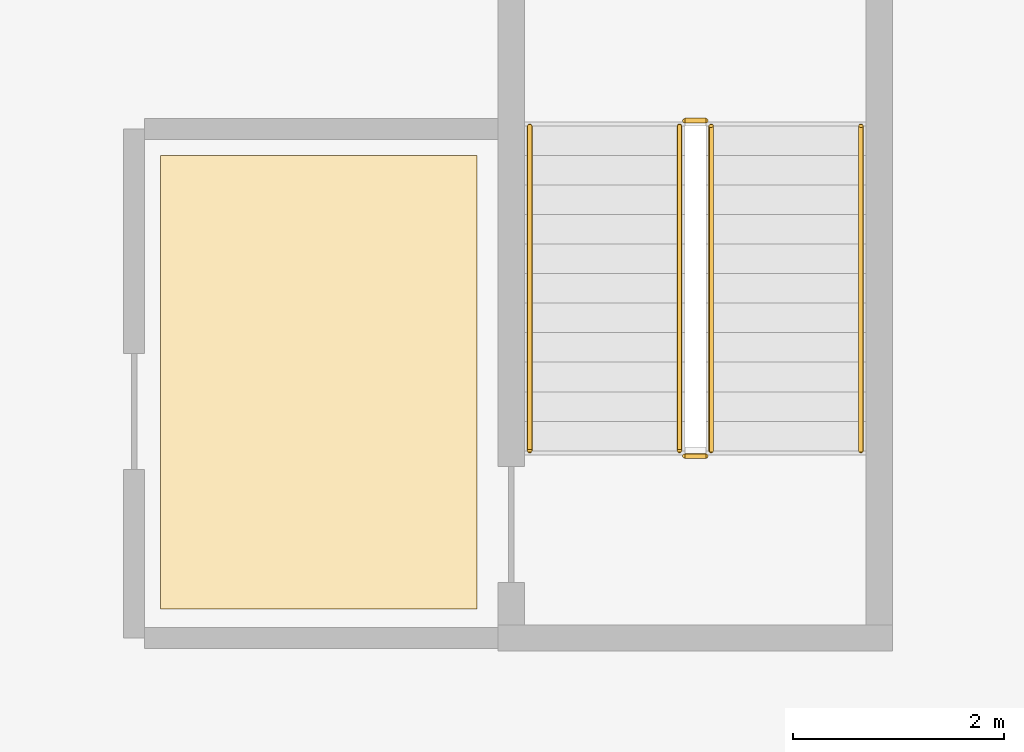
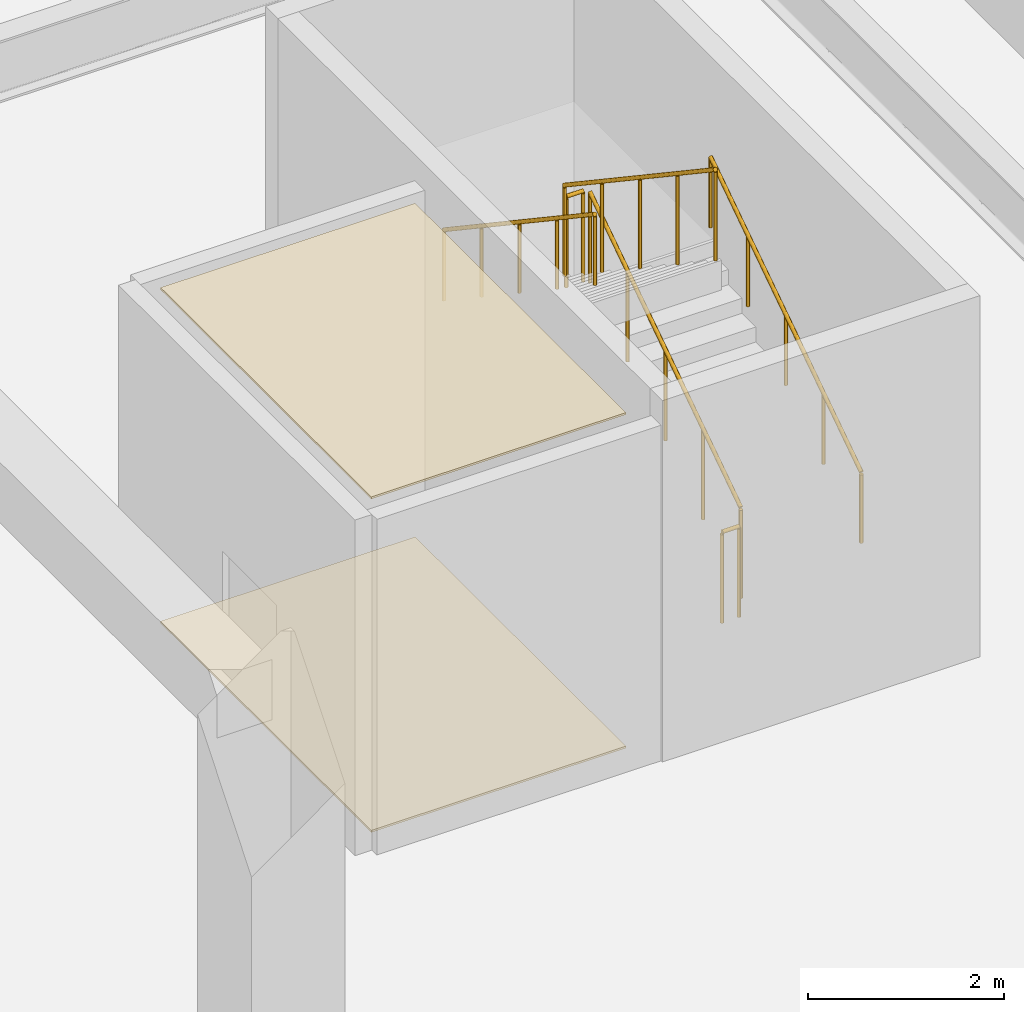
# One storey, part 40 of 40: 6 railings, 2 coverings.
"""IFC4 building model written with IfcOpenShell, lengths in metres."""

from ifc_helpers import new_model, si_unit, direction, frame, origin, origin_2d, place, context, subcontext, project, spatial, polyline, circle, outline, extrude, material, layer, layer_set, type_object, element, save


model = new_model("IFC4")

# Units and contexts
model_context = context("Model", 3, precision=1e-05, world=origin(), true_north=direction((0.0, 1.0)))
body_context = subcontext(model_context, "Body", "Model", "MODEL_VIEW")
ifc_project = project(units=[si_unit("LENGTHUNIT", "METRE"), si_unit("AREAUNIT", "SQUARE_METRE"), si_unit("VOLUMEUNIT", "CUBIC_METRE"), si_unit("PLANEANGLEUNIT", "RADIAN"), si_unit("MASSUNIT", "GRAM", prefix="KILO")], contexts=[model_context])

# Site, building, storey
site_placement = place(None, origin())
site = spatial("IfcSite", under=ifc_project, at=site_placement, CompositionType="ELEMENT")
building_placement = place(site_placement, origin())
building = spatial("IfcBuilding", under=site, at=building_placement, Name="Korimba Cascade Residences", CompositionType="ELEMENT")
storey_placement = place(building_placement, frame((0.0, 0.0, 14.5)))
storey = spatial("IfcBuildingStorey", under=building, at=storey_placement, Name="L03", CompositionType="ELEMENT", Elevation=14.5)

# Coverings
ifc_material_1 = material(Name="Perforated Acoustic Gypsum Ceiling", Category="gypsum")
ifc_layer_1 = layer(ifc_material_1, 0.02490234375)
ifc_layer_set_1 = layer_set([ifc_layer_1], Name="Perforated Acoustic Gypsum Ceiling")
covering_type_1 = type_object("IfcCoveringType", Name="COV-CLG-AC", PredefinedType="CEILING", material=ifc_layer_set_1)
covering_1_placement = place(storey_placement, frame((0.0, 0.0, 4.155029296875)))
element("IfcCovering", 1, at=covering_1_placement, inside=storey, type_object=covering_type_1, Name="L03 Suspended Acoustic Ceiling L03-PL4", PredefinedType="CEILING", context=body_context, shape_type="SweptSolid", body=[
    extrude(outline(polyline([(131.050048828125, 82.14990234375), (134.050048828125, 82.14990234375), (134.050048828125, 86.449951171875), (131.050048828125, 86.449951171875), (131.050048828125, 82.14990234375)])), origin(), (0.0, 0.0, 1.0), 0.02490234375),
])
ifc_material_2 = material(Name="Honed Travertine Stone Flooring", Category="masonry")
ifc_layer_2 = layer(ifc_material_2, 0.02490234375)
ifc_layer_set_2 = layer_set([ifc_layer_2], Name="Honed Travertine Stone Flooring")
covering_type_2 = type_object("IfcCoveringType", Name="COV-FLR-STN", PredefinedType="FLOORING", material=ifc_layer_set_2)
covering_2_placement = place(storey_placement, origin())
element("IfcCovering", 2, at=covering_2_placement, inside=storey, type_object=covering_type_2, Name="L03 Honed Travertine Stone Flooring L03-PL4", PredefinedType="FLOORING", context=body_context, shape_type="SweptSolid", body=[
    extrude(outline(polyline([(131.050048828125, 82.14990234375), (134.050048828125, 82.14990234375), (134.050048828125, 86.449951171875), (131.050048828125, 86.449951171875), (131.050048828125, 82.14990234375)])), origin(), (0.0, 0.0, 1.0), 0.02490234375),
])

# Railings
ifc_material_3 = material(Name="Painted Steel Stairwell Guardrail", Category="steel")
railing_type_1 = type_object("IfcRailingType", Name="RLG-ST-GD1150", PredefinedType="GUARDRAIL", material=ifc_material_3)
railing_1_placement = place(storey_placement, frame((136.27001953125, 83.64990234375, 0.1875)))
element("IfcRailing", 3, at=railing_1_placement, inside=storey, type_object=railing_type_1, Name="L03 ST-P4 stair guard 1", PredefinedType="GUARDRAIL", context=body_context, shape_type="SweptSolid", body=[
    extrude(circle(Radius=0.02392578125, at=origin_2d()), frame((0.0, 0.0, 1.1259765625), z_axis=(0.0, 0.830913701846, 0.55640131208), x_axis=(-1.0, 0.0, 0.0)), (0.0, 0.0, 1.0), 3.706787109375),
    extrude(circle(Radius=0.02099609375, at=origin_2d()), origin(), (0.0, 0.0, 1.0), 1.101806640625),
    extrude(circle(Radius=0.02099609375, at=origin_2d()), frame((0.0, 0.77001953125, 0.515625)), (0.0, 0.0, 1.0), 1.101806640625),
    extrude(circle(Radius=0.02099609375, at=origin_2d()), frame((0.0, 1.5400390625, 1.03125)), (0.0, 0.0, 1.0), 1.101806640625),
    extrude(circle(Radius=0.02099609375, at=origin_2d()), frame((0.0, 2.31005859375, 1.546875)), (0.0, 0.0, 1.0), 1.101806640625),
    extrude(circle(Radius=0.02099609375, at=origin_2d()), frame((0.0, 3.080078125, 2.0625)), (0.0, 0.0, 1.0), 1.101806640625),
])
railing_2_placement = place(storey_placement, frame((136.219970703125, 86.780029296875, 2.25)))
element("IfcRailing", 4, at=railing_2_placement, inside=storey, type_object=railing_type_1, Name="L03 ST-P4 stair guard 2", PredefinedType="GUARDRAIL", context=body_context, shape_type="SweptSolid", body=[
    extrude(circle(Radius=0.02392578125, at=origin_2d()), frame((0.0, 0.0, 1.1259765625), z_axis=(-1.0, 0.0, 0.0), x_axis=(0.0, -1.0, 0.0)), (0.0, 0.0, 1.0), 0.199951171875),
    extrude(circle(Radius=0.02099609375, at=origin_2d()), origin(), (0.0, 0.0, 1.0), 1.101806640625),
    extrude(circle(Radius=0.02099609375, at=origin_2d()), frame((-0.199951171875, 0.0, 0.0)), (0.0, 0.0, 1.0), 1.101806640625),
])
railing_3_placement = place(storey_placement, frame((135.969970703125, 86.72998046875, 2.4375)))
element("IfcRailing", 5, at=railing_3_placement, inside=storey, type_object=railing_type_1, Name="L03 ST-P4 stair guard 3", PredefinedType="GUARDRAIL", context=body_context, shape_type="SweptSolid", body=[
    extrude(circle(Radius=0.02392578125, at=origin_2d()), frame((0.0, 0.0, 1.1259765625), z_axis=(0.0, -0.830913701846, 0.55640131208), x_axis=(1.0, 0.0, 0.0)), (0.0, 0.0, 1.0), 3.706787109375),
    extrude(circle(Radius=0.02099609375, at=origin_2d()), origin(), (0.0, 0.0, 1.0), 1.101806640625),
    extrude(circle(Radius=0.02099609375, at=origin_2d()), frame((0.0, -0.77001953125, 0.515625)), (0.0, 0.0, 1.0), 1.101806640625),
    extrude(circle(Radius=0.02099609375, at=origin_2d()), frame((0.0, -1.5400390625, 1.03125)), (0.0, 0.0, 1.0), 1.101806640625),
    extrude(circle(Radius=0.02099609375, at=origin_2d()), frame((0.0, -2.31005859375, 1.546875)), (0.0, 0.0, 1.0), 1.101806640625),
    extrude(circle(Radius=0.02099609375, at=origin_2d()), frame((0.0, -3.080078125, 2.0625)), (0.0, 0.0, 1.0), 1.101806640625),
])
railing_4_placement = place(storey_placement, frame((136.219970703125, 83.60009765625, 0.0)))
element("IfcRailing", 6, at=railing_4_placement, inside=storey, type_object=railing_type_1, Name="L03 ST-P4 stair guard 4", PredefinedType="GUARDRAIL", context=body_context, shape_type="SweptSolid", body=[
    extrude(circle(Radius=0.02392578125, at=origin_2d()), frame((0.0, 0.0, 1.1259765625), z_axis=(-1.0, 0.0, 0.0), x_axis=(0.0, -1.0, 0.0)), (0.0, 0.0, 1.0), 0.199951171875),
    extrude(circle(Radius=0.02099609375, at=origin_2d()), origin(), (0.0, 0.0, 1.0), 1.101806640625),
    extrude(circle(Radius=0.02099609375, at=origin_2d()), frame((-0.199951171875, 0.0, 0.0)), (0.0, 0.0, 1.0), 1.101806640625),
])
ifc_material_4 = material(Name="Brushed Stainless Steel Handrail", Category="steel")
railing_type_2 = type_object("IfcRailingType", Name="RLG-ST-HR900", PredefinedType="HANDRAIL", material=ifc_material_4)
railing_5_placement = place(storey_placement, frame((137.68994140625, 83.64990234375, 0.379150390625)))
element("IfcRailing", 7, at=railing_5_placement, inside=storey, type_object=railing_type_2, Name="L03 ST-P4 stair handrail 1", PredefinedType="HANDRAIL", context=body_context, shape_type="SweptSolid", body=[
    extrude(circle(Radius=0.02392578125, at=origin_2d()), frame((0.0, 0.0, 0.8759765625), z_axis=(0.0, 0.830913701846, 0.55640131208), x_axis=(-1.0, 0.0, 0.0)), (0.0, 0.0, 1.0), 3.706787109375),
    extrude(circle(Radius=0.02099609375, at=origin_2d()), origin(), (0.0, 0.0, 1.0), 0.851806640625),
    extrude(circle(Radius=0.02099609375, at=origin_2d()), frame((0.0, 0.77001953125, 0.515625)), (0.0, 0.0, 1.0), 0.851806640625),
    extrude(circle(Radius=0.02099609375, at=origin_2d()), frame((0.0, 1.5400390625, 1.03125)), (0.0, 0.0, 1.0), 0.851806640625),
    extrude(circle(Radius=0.02099609375, at=origin_2d()), frame((0.0, 2.31005859375, 1.546875)), (0.0, 0.0, 1.0), 0.851806640625),
    extrude(circle(Radius=0.02099609375, at=origin_2d()), frame((0.0, 3.080078125, 2.0625)), (0.0, 0.0, 1.0), 0.851806640625),
])
railing_6_placement = place(storey_placement, frame((134.550048828125, 86.72998046875, 2.629150390625)))
element("IfcRailing", 8, at=railing_6_placement, inside=storey, type_object=railing_type_2, Name="L03 ST-P4 stair handrail 2", PredefinedType="HANDRAIL", context=body_context, shape_type="SweptSolid", body=[
    extrude(circle(Radius=0.02392578125, at=origin_2d()), frame((0.0, 0.0, 0.8759765625), z_axis=(0.0, -0.830913701846, 0.55640131208), x_axis=(1.0, 0.0, 0.0)), (0.0, 0.0, 1.0), 3.706787109375),
    extrude(circle(Radius=0.02099609375, at=origin_2d()), origin(), (0.0, 0.0, 1.0), 0.851806640625),
    extrude(circle(Radius=0.02099609375, at=origin_2d()), frame((0.0, -0.77001953125, 0.515625)), (0.0, 0.0, 1.0), 0.851806640625),
    extrude(circle(Radius=0.02099609375, at=origin_2d()), frame((0.0, -1.5400390625, 1.03125)), (0.0, 0.0, 1.0), 0.851806640625),
    extrude(circle(Radius=0.02099609375, at=origin_2d()), frame((0.0, -2.31005859375, 1.546875)), (0.0, 0.0, 1.0), 0.851806640625),
    extrude(circle(Radius=0.02099609375, at=origin_2d()), frame((0.0, -3.080078125, 2.0625)), (0.0, 0.0, 1.0), 0.851806640625),
])

save(model, "model.ifc")
